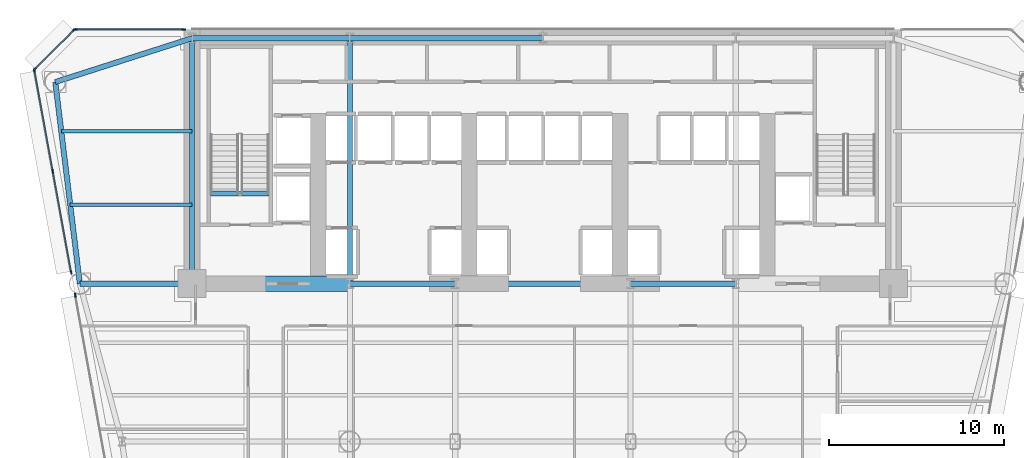
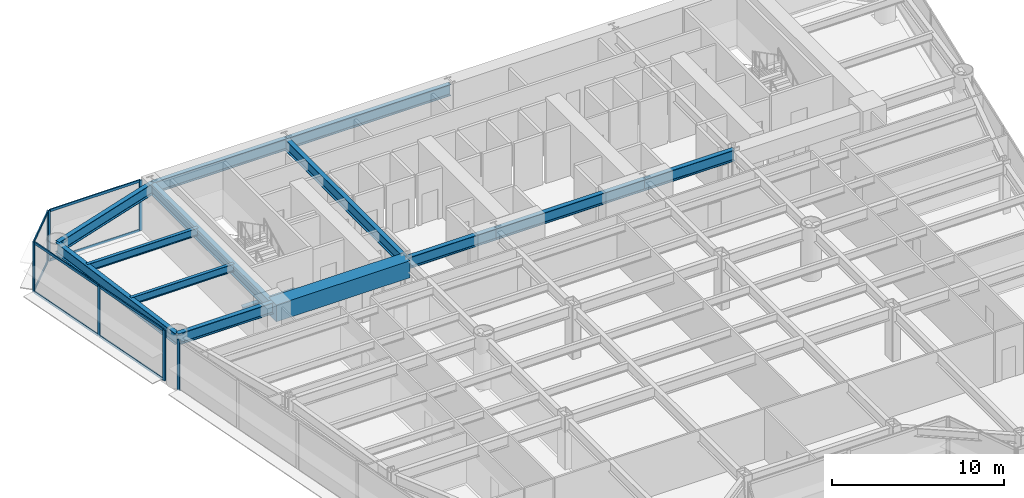
# One storey, part 5 of 14: 16 members, 14 beams, 4 elements without a shape of their own.
"""IFC4 building model written with IfcOpenShell, lengths in metres."""

from ifc_helpers import new_model, si_unit, direction, frame, origin, origin_2d, place, context, subcontext, project, spatial, rectangle, i_section, extrude, source, transform, mapped, material, layer, layer_set, material_profile, profile_set, type_object, element, aggregate, save


model = new_model("IFC4")

# Units and contexts
model_context = context("Model", 3, precision=1e-05, world=origin(), true_north=direction((0.0, 1.0)))
body_context = subcontext(model_context, "Body", "Model", "MODEL_VIEW")
ifc_project = project(units=[si_unit("LENGTHUNIT", "METRE"), si_unit("AREAUNIT", "SQUARE_METRE"), si_unit("VOLUMEUNIT", "CUBIC_METRE"), si_unit("PLANEANGLEUNIT", "RADIAN"), si_unit("MASSUNIT", "GRAM", prefix="KILO")], contexts=[model_context])

# Site, building, storey
site_placement = place(None, origin())
site = spatial("IfcSite", under=ifc_project, at=site_placement, CompositionType="ELEMENT")
building_placement = place(site_placement, origin())
building = spatial("IfcBuilding", under=site, at=building_placement, Name="Vaeldorn Concourse Tower", CompositionType="ELEMENT")
storey_placement = place(building_placement, frame((0.0, 0.0, 49.199951171875)))
storey = spatial("IfcBuildingStorey", under=building, at=storey_placement, Name="L12", CompositionType="ELEMENT", Elevation=49.199951171875)

# Beams
ifc_material_1 = material(Name="Concrete C60/75", Category="concrete")
ifc_material_profile_1 = material_profile(ifc_material_1, rectangle(XDim=0.89990234375, YDim=1.199951171875, at=origin_2d()), Name="RC 900x1200")
ifc_profile_set_1 = profile_set([ifc_material_profile_1], Name="Concrete C60/75")
beam_type_1 = type_object("IfcBeamType", Name="BM-CB-RC900", PredefinedType="BEAM", material=ifc_profile_set_1)
shared_shape_1 = source(origin(), body_context, "Body", "SweptSolid", [
    extrude(rectangle(XDim=0.89990234375, YDim=1.199951171875, at=origin_2d()), origin(), (0.0, 0.0, 1.0), 9.0),
])
beam_1_placement = place(storey_placement, frame((14.0, 36.5, 2.97998046875), z_axis=(1.0, 0.0, 0.0), x_axis=(0.0, 1.0, 0.0)))
element("IfcBeam", 1, at=beam_1_placement, inside=storey, type_object=beam_type_1, Name="Core Coupling Beam L12-1", PredefinedType="BEAM", context=body_context, shape_type="MappedRepresentation", body=[
    mapped(shared_shape_1, transform((0.0, 0.0, 0.0), scale=1.0)),
])
ifc_material_2 = material(Name="Steel S355", Category="steel")
ifc_material_profile_2 = material_profile(ifc_material_2, i_section(OverallWidth=0.300048828125, OverallDepth=0.340087890625, WebThickness=0.011962890625, FlangeThickness=0.021484375, FilletRadius=0.027099609375, at=origin_2d()), Name="HEB 340")
ifc_profile_set_2 = profile_set([ifc_material_profile_2], Name="Steel S355")
beam_type_2 = type_object("IfcBeamType", Name="BM-ST-TRIM", PredefinedType="BEAM", material=ifc_profile_set_2)
shared_shape_2 = source(origin(), body_context, "Body", "SweptSolid", [
    extrude(i_section(OverallWidth=0.300048828125, OverallDepth=0.340087890625, WebThickness=0.011962890625, FlangeThickness=0.021484375, FilletRadius=0.027099609375, at=origin_2d()), origin(), (0.0, 0.0, 1.0), 3.590087890625),
])
beam_2_placement = place(storey_placement, frame((14.929931640625, 41.639892578125, -0.389892578125), z_axis=(1.0, 0.0, 0.0), x_axis=(0.0, 1.0, 0.0)))
element("IfcBeam", 2, at=beam_2_placement, inside=storey, type_object=beam_type_2, Name="Stair Landing Trimmer Beam ST-1 L12", PredefinedType="BEAM", context=body_context, shape_type="MappedRepresentation", body=[
    mapped(shared_shape_2, transform((0.0, 0.0, 0.0), scale=1.0)),
])
ifc_material_profile_3 = material_profile(ifc_material_2, i_section(OverallWidth=0.300048828125, OverallDepth=0.800048828125, WebThickness=0.017578125, FlangeThickness=0.032958984375, FilletRadius=0.030029296875, at=origin_2d()), Name="HEB 800")
ifc_profile_set_3 = profile_set([ifc_material_profile_3], Name="Steel S355")
beam_type_3 = type_object("IfcBeamType", Name="BM-PG-HEB800", PredefinedType="BEAM", material=ifc_profile_set_3)
shared_shape_3 = source(origin(), body_context, "Body", "SweptSolid", [
    extrude(i_section(OverallWidth=0.300048828125, OverallDepth=0.800048828125, WebThickness=0.017578125, FlangeThickness=0.032958984375, FilletRadius=0.030029296875, at=origin_2d()), origin(), (0.0, 0.0, 1.0), 6.0),
])
for number, where, z_axis, x_axis, name in (
    (3, (23.0, 36.5, 3.179931640625), (1.0, 0.0, 0.0), (0.0, 1.0, 0.0), "Beam BM-L12-C-FC2-C-FC3"),
    (4, (39.0, 36.5, 3.179931640625), (1.0, 0.0, 0.0), (0.0, 1.0, 0.0), "Beam BM-L12-C-FC4-C-FC5"),
):
    element("IfcBeam", number, at=place(storey_placement, frame(where, z_axis=z_axis, x_axis=x_axis)), inside=storey, type_object=beam_type_3, Name=name, PredefinedType="BEAM", context=body_context, shape_type="MappedRepresentation", body=[
        mapped(shared_shape_3, transform((0.0, 0.0, 0.0), scale=1.0)),
    ])
shared_shape_4 = source(origin(), body_context, "Body", "SweptSolid", [
    extrude(i_section(OverallWidth=0.300048828125, OverallDepth=0.800048828125, WebThickness=0.017578125, FlangeThickness=0.032958984375, FilletRadius=0.030029296875, at=origin_2d()), origin(), (0.0, 0.0, 1.0), 10.0),
])
beam_3_placement = place(storey_placement, frame((29.0, 36.5, 3.179931640625), z_axis=(1.0, 0.0, 0.0), x_axis=(0.0, 1.0, 0.0)))
element("IfcBeam", 5, at=beam_3_placement, inside=storey, type_object=beam_type_3, Name="Beam BM-L12-C-FC3-C-FC4", PredefinedType="BEAM", context=body_context, shape_type="MappedRepresentation", body=[
    mapped(shared_shape_4, transform((0.0, 0.0, 0.0), scale=1.0)),
])
shared_shape_5 = source(origin(), body_context, "Body", "SweptSolid", [
    extrude(i_section(OverallWidth=0.300048828125, OverallDepth=0.800048828125, WebThickness=0.017578125, FlangeThickness=0.032958984375, FilletRadius=0.030029296875, at=origin_2d()), origin(), (0.0, 0.0, 1.0), 9.0),
])
beam_4_placement = place(storey_placement, frame((14.0, 50.5, 3.179931640625), z_axis=(1.0, 0.0, 0.0), x_axis=(0.0, 1.0, 0.0)))
element("IfcBeam", 6, at=beam_4_placement, inside=storey, type_object=beam_type_3, Name="Beam BM-L12-C-HC1-C-HC2", PredefinedType="BEAM", context=body_context, shape_type="MappedRepresentation", body=[
    mapped(shared_shape_5, transform((0.0, 0.0, 0.0), scale=1.0)),
])
shared_shape_6 = source(origin(), body_context, "Body", "SweptSolid", [
    extrude(i_section(OverallWidth=0.300048828125, OverallDepth=0.800048828125, WebThickness=0.017578125, FlangeThickness=0.032958984375, FilletRadius=0.030029296875, at=origin_2d()), origin(), (0.0, 0.0, 1.0), 11.0),
])
beam_5_placement = place(storey_placement, frame((23.0, 50.5, 3.179931640625), z_axis=(1.0, 0.0, 0.0), x_axis=(0.0, 1.0, 0.0)))
element("IfcBeam", 7, at=beam_5_placement, inside=storey, type_object=beam_type_3, Name="Beam BM-L12-C-HC2-C-HC3", PredefinedType="BEAM", context=body_context, shape_type="MappedRepresentation", body=[
    mapped(shared_shape_6, transform((0.0, 0.0, 0.0), scale=1.0)),
])
shared_shape_7 = source(origin(), body_context, "Body", "SweptSolid", [
    extrude(i_section(OverallWidth=0.300048828125, OverallDepth=0.800048828125, WebThickness=0.017578125, FlangeThickness=0.032958984375, FilletRadius=0.030029296875, at=origin_2d()), origin(), (0.0, 0.0, 1.0), 14.0),
])
for number, where, z_axis, x_axis, name in (
    (8, (14.0, 36.5, 3.179931640625), (0.0, 1.0, 0.0), (-1.0, 0.0, 0.0), "Beam BM-L12-C-FC1-C-HC1"),
    (9, (23.0, 36.5, 3.179931640625), (0.0, 1.0, 0.0), (-1.0, 0.0, 0.0), "Beam BM-L12-C-FC2-C-HC2"),
):
    element("IfcBeam", number, at=place(storey_placement, frame(where, z_axis=z_axis, x_axis=x_axis)), inside=storey, type_object=beam_type_3, Name=name, PredefinedType="BEAM", context=body_context, shape_type="MappedRepresentation", body=[
        mapped(shared_shape_7, transform((0.0, 0.0, 0.0), scale=1.0)),
    ])
shared_shape_8 = source(origin(), body_context, "Body", "SweptSolid", [
    extrude(i_section(OverallWidth=0.300048828125, OverallDepth=0.800048828125, WebThickness=0.017578125, FlangeThickness=0.032958984375, FilletRadius=0.030029296875, at=origin_2d()), origin(), (0.0, 0.0, 1.0), 8.19091796875),
])
beam_6_placement = place(storey_placement, frame((6.199951171875, 48.0, 3.179931640625), z_axis=(0.952282843383, 0.305216949396, 0.0), x_axis=(-0.305216949396, 0.952282843383, 0.0)))
element("IfcBeam", 10, at=beam_6_placement, inside=storey, type_object=beam_type_3, Name="Beam BM-L12-C-NW1-C-HC1", PredefinedType="BEAM", context=body_context, shape_type="MappedRepresentation", body=[
    mapped(shared_shape_8, transform((0.0, 0.0, 0.0), scale=1.0)),
])
shared_shape_9 = source(origin(), body_context, "Body", "SweptSolid", [
    extrude(i_section(OverallWidth=0.300048828125, OverallDepth=0.800048828125, WebThickness=0.017578125, FlangeThickness=0.032958984375, FilletRadius=0.030029296875, at=origin_2d()), origin(), (0.0, 0.0, 1.0), 11.5849609375),
])
beam_7_placement = place(storey_placement, frame((6.199951171875, 48.0, 3.179931640625), z_axis=(0.120859382899, -0.992669637677, 0.0), x_axis=(0.992669637677, 0.120859382899, 0.0)))
element("IfcBeam", 11, at=beam_7_placement, inside=storey, type_object=beam_type_3, Name="Beam BM-L12-C-NW1-C-NW2", PredefinedType="BEAM", context=body_context, shape_type="MappedRepresentation", body=[
    mapped(shared_shape_9, transform((0.0, 0.0, 0.0), scale=1.0)),
])
shared_shape_10 = source(origin(), body_context, "Body", "SweptSolid", [
    extrude(i_section(OverallWidth=0.300048828125, OverallDepth=0.800048828125, WebThickness=0.017578125, FlangeThickness=0.032958984375, FilletRadius=0.030029296875, at=origin_2d()), origin(), (0.0, 0.0, 1.0), 6.39990234375),
])
beam_8_placement = place(storey_placement, frame((7.60009765625, 36.5, 3.179931640625), z_axis=(1.0, 0.0, 0.0), x_axis=(0.0, 1.0, 0.0)))
element("IfcBeam", 12, at=beam_8_placement, inside=storey, type_object=beam_type_3, Name="Beam BM-L12-C-NW2-C-FC1", PredefinedType="BEAM", context=body_context, shape_type="MappedRepresentation", body=[
    mapped(shared_shape_10, transform((0.0, 0.0, 0.0), scale=1.0)),
])
ifc_material_profile_4 = material_profile(ifc_material_2, i_section(OverallWidth=0.2099609375, OverallDepth=0.550048828125, WebThickness=0.010986328125, FlangeThickness=0.01708984375, FilletRadius=0.02392578125, at=origin_2d()), Name="IPE 550")
ifc_profile_set_4 = profile_set([ifc_material_profile_4], Name="Steel S355")
beam_type_4 = type_object("IfcBeamType", Name="BM-JS-IPE550", PredefinedType="JOIST", material=ifc_profile_set_4)
shared_shape_11 = source(origin(), body_context, "Body", "SweptSolid", [
    extrude(i_section(OverallWidth=0.2099609375, OverallDepth=0.550048828125, WebThickness=0.010986328125, FlangeThickness=0.01708984375, FilletRadius=0.02392578125, at=origin_2d()), origin(), (0.0, 0.0, 1.0), 6.94775390625),
])
beam_9_placement = place(storey_placement, frame((7.05224609375, 41.0, 3.304931640625), z_axis=(1.0, 0.0, 0.0), x_axis=(0.0, 1.0, 0.0)))
element("IfcBeam", 13, at=beam_9_placement, inside=storey, type_object=beam_type_4, Name="Beam JS-L12-NW-410", PredefinedType="JOIST", context=body_context, shape_type="MappedRepresentation", body=[
    mapped(shared_shape_11, transform((0.0, 0.0, 0.0), scale=1.0)),
])
shared_shape_12 = source(origin(), body_context, "Body", "SweptSolid", [
    extrude(i_section(OverallWidth=0.2099609375, OverallDepth=0.550048828125, WebThickness=0.010986328125, FlangeThickness=0.01708984375, FilletRadius=0.02392578125, at=origin_2d()), origin(), (0.0, 0.0, 1.0), 7.458984375),
])
beam_10_placement = place(storey_placement, frame((6.541015625, 45.199951171875, 3.304931640625), z_axis=(1.0, 0.0, 0.0), x_axis=(0.0, 1.0, 0.0)))
element("IfcBeam", 14, at=beam_10_placement, inside=storey, type_object=beam_type_4, Name="Beam JS-L12-NW-452", PredefinedType="JOIST", context=body_context, shape_type="MappedRepresentation", body=[
    mapped(shared_shape_12, transform((0.0, 0.0, 0.0), scale=1.0)),
])

# Curtain wall, members
ifc_material_3 = material(Name="Anodised Bronze Aluminium", Category="aluminium")
ifc_layer = layer(ifc_material_3, 0.219970703125)
ifc_layer_set = layer_set([ifc_layer], Name="Anodised Bronze Aluminium")
curtain_wall_type = type_object("IfcCurtainWallType", Name="CW-SYS-01", PredefinedType="NOTDEFINED", material=ifc_layer_set)
curtain_wall_1_placement = place(storey_placement, origin())
curtain_wall_1 = element("IfcCurtainWall", 15, at=curtain_wall_1_placement, inside=storey, type_object=curtain_wall_type, Name="Unitised Curtain Wall CW-L12-E10-1", PredefinedType="NOTDEFINED")
ifc_material_profile_5 = material_profile(ifc_material_3, rectangle(XDim=0.074951171875, YDim=0.179931640625, at=origin_2d()), Name="CWT 75x180")
ifc_profile_set_5 = profile_set([ifc_material_profile_5], Name="Anodised Bronze Aluminium")
member_type_1 = type_object("IfcMemberType", Name="CWT-BRONZE-180", PredefinedType="USERDEFINED", material=ifc_profile_set_5)
shared_shape_13 = source(origin(), body_context, "Body", "SweptSolid", [
    extrude(rectangle(XDim=0.074951171875, YDim=0.179931640625, at=origin_2d()), origin(), (0.0, 0.0, 1.0), 3.10302734375),
])
member_1_placement = place(storey_placement, frame((7.2470703125, 50.947021484375, 0.03759765625), z_axis=(-0.707106781187, -0.707106781187, 0.0), x_axis=(0.707106781187, -0.707106781187, 0.0)))
member_1 = element("IfcMember", 16, at=member_1_placement, type_object=member_type_1, Name="CW-01 transom 1.1", ObjectType="TRANSOM", PredefinedType="USERDEFINED", context=body_context, shape_type="MappedRepresentation", body=[
    mapped(shared_shape_13, transform((0.0, 0.0, 0.0), scale=1.0)),
])
member_2_placement = place(storey_placement, frame((7.2470703125, 50.947021484375, 3.54248046875), z_axis=(-0.707106781187, -0.707106781187, 0.0), x_axis=(0.707106781187, -0.707106781187, 0.0)))
member_2 = element("IfcMember", 17, at=member_2_placement, type_object=member_type_1, Name="CW-01 transom 1.2", ObjectType="TRANSOM", PredefinedType="USERDEFINED", context=body_context, shape_type="MappedRepresentation", body=[
    mapped(shared_shape_13, transform((0.0, 0.0, 0.0), scale=1.0)),
])

curtain_wall_2_placement = place(storey_placement, origin())
curtain_wall_2 = element("IfcCurtainWall", 18, at=curtain_wall_2_placement, inside=storey, type_object=curtain_wall_type, Name="Unitised Curtain Wall CW-L12-E09-2", PredefinedType="NOTDEFINED")
shared_shape_14 = source(origin(), body_context, "Body", "SweptSolid", [
    extrude(rectangle(XDim=0.074951171875, YDim=0.179931640625, at=origin_2d()), origin(), (0.0, 0.0, 1.0), 6.10498046875),
])
member_3_placement = place(storey_placement, frame((13.47998046875, 51.0, 0.03759765625), z_axis=(-1.0, 0.0, 0.0), x_axis=(0.0, -1.0, 0.0)))
member_3 = element("IfcMember", 19, at=member_3_placement, type_object=member_type_1, Name="CW-01 transom 1.1", ObjectType="TRANSOM", PredefinedType="USERDEFINED", context=body_context, shape_type="MappedRepresentation", body=[
    mapped(shared_shape_14, transform((0.0, 0.0, 0.0), scale=1.0)),
])
member_4_placement = place(storey_placement, frame((13.47998046875, 51.0, 3.54248046875), z_axis=(-1.0, 0.0, 0.0), x_axis=(0.0, -1.0, 0.0)))
member_4 = element("IfcMember", 20, at=member_4_placement, type_object=member_type_1, Name="CW-01 transom 1.2", ObjectType="TRANSOM", PredefinedType="USERDEFINED", context=body_context, shape_type="MappedRepresentation", body=[
    mapped(shared_shape_14, transform((0.0, 0.0, 0.0), scale=1.0)),
])
ifc_material_profile_6 = material_profile(ifc_material_3, rectangle(XDim=0.074951171875, YDim=0.219970703125, at=origin_2d()), Name="CWM 75x220")
ifc_profile_set_6 = profile_set([ifc_material_profile_6], Name="Anodised Bronze Aluminium")
member_type_2 = type_object("IfcMemberType", Name="CWM-BRONZE-220", PredefinedType="MULLION", material=ifc_profile_set_6)
shared_shape_15 = source(origin(), body_context, "Body", "SweptSolid", [
    extrude(rectangle(XDim=0.074951171875, YDim=0.219970703125, at=origin_2d()), origin(), (0.0, 0.0, 1.0), 3.580078125),
])
member_5_placement = place(storey_placement, frame((13.517578125, 51.0, 0.0), z_axis=(0.0, 0.0, 1.0), x_axis=(0.0, -1.0, 0.0)))
member_5 = element("IfcMember", 21, at=member_5_placement, type_object=member_type_2, Name="CW-01 mullion 1", PredefinedType="MULLION", context=body_context, shape_type="MappedRepresentation", body=[
    mapped(shared_shape_15, transform((0.0, 0.0, 0.0), scale=1.0)),
])
member_6_placement = place(storey_placement, frame((7.33740234375, 51.0, 0.0), z_axis=(0.0, 0.0, 1.0), x_axis=(0.0, -1.0, 0.0)))
member_6 = element("IfcMember", 22, at=member_6_placement, type_object=member_type_2, Name="CW-01 mullion 2", PredefinedType="MULLION", context=body_context, shape_type="MappedRepresentation", body=[
    mapped(shared_shape_15, transform((0.0, 0.0, 0.0), scale=1.0)),
])
aggregate(curtain_wall_2, [member_5, member_6, member_3, member_4])

# Member
member_7_placement = place(storey_placement, frame((7.2734375, 50.973388671875, 0.0), z_axis=(0.0, 0.0, 1.0), x_axis=(0.707106781187, -0.707106781187, 0.0)))
member_7 = element("IfcMember", 23, at=member_7_placement, type_object=member_type_2, Name="CW-01 mullion 1", PredefinedType="MULLION", context=body_context, shape_type="MappedRepresentation", body=[
    mapped(shared_shape_15, transform((0.0, 0.0, 0.0), scale=1.0)),
])

member_8_placement = place(storey_placement, frame((5.026611328125, 48.7265625, 0.0), z_axis=(0.0, 0.0, 1.0), x_axis=(0.707106781187, -0.707106781187, 0.0)))
member_8 = element("IfcMember", 24, at=member_8_placement, type_object=member_type_2, Name="CW-01 mullion 2", PredefinedType="MULLION", context=body_context, shape_type="MappedRepresentation", body=[
    mapped(shared_shape_15, transform((0.0, 0.0, 0.0), scale=1.0)),
])

aggregate(curtain_wall_1, [member_7, member_8, member_1, member_2])

# Curtain wall, members
curtain_wall_3_placement = place(storey_placement, origin())
curtain_wall_3 = element("IfcCurtainWall", 25, at=curtain_wall_3_placement, inside=storey, type_object=curtain_wall_type, Name="Unitised Curtain Wall CW-L12-E11-1", PredefinedType="NOTDEFINED")
member_9_placement = place(storey_placement, frame((5.0068359375, 48.6630859375, 0.0), z_axis=(0.0, 0.0, 1.0), x_axis=(0.98382720045, 0.179120182152, 0.0)))
member_9 = element("IfcMember", 26, at=member_9_placement, type_object=member_type_2, Name="CW-01 mullion 1", PredefinedType="MULLION", context=body_context, shape_type="MappedRepresentation", body=[
    mapped(shared_shape_15, transform((0.0, 0.0, 0.0), scale=1.0)),
])
member_10_placement = place(storey_placement, frame((6.05419921875, 42.90966796875, 0.0), z_axis=(0.0, 0.0, 1.0), x_axis=(0.98382720045, 0.179120182152, 0.0)))
member_10 = element("IfcMember", 27, at=member_10_placement, type_object=member_type_2, Name="CW-01 mullion 2", PredefinedType="MULLION", context=body_context, shape_type="MappedRepresentation", body=[
    mapped(shared_shape_15, transform((0.0, 0.0, 0.0), scale=1.0)),
])
member_11_placement = place(storey_placement, frame((7.1015625, 37.156494140625, 0.0), z_axis=(0.0, 0.0, 1.0), x_axis=(0.98382720045, 0.179120182152, 0.0)))
member_11 = element("IfcMember", 28, at=member_11_placement, type_object=member_type_2, Name="CW-01 mullion 3", PredefinedType="MULLION", context=body_context, shape_type="MappedRepresentation", body=[
    mapped(shared_shape_15, transform((0.0, 0.0, 0.0), scale=1.0)),
])

# Curtain wall, member
curtain_wall_4_placement = place(storey_placement, origin())
curtain_wall_4 = element("IfcCurtainWall", 29, at=curtain_wall_4_placement, inside=storey, type_object=curtain_wall_type, Name="Unitised Curtain Wall CW-L12-E11-2", PredefinedType="NOTDEFINED")
member_12_placement = place(storey_placement, frame((7.340576171875, 35.843505859375, 0.0), z_axis=(0.0, 0.0, 1.0), x_axis=(0.983827780803, 0.179116994505, 0.0)))
member_12 = element("IfcMember", 30, at=member_12_placement, type_object=member_type_2, Name="CW-01 mullion 1", PredefinedType="MULLION", context=body_context, shape_type="MappedRepresentation", body=[
    mapped(shared_shape_15, transform((0.0, 0.0, 0.0), scale=1.0)),
])
aggregate(curtain_wall_4, [member_12])

# Member
shared_shape_16 = source(origin(), body_context, "Body", "SweptSolid", [
    extrude(rectangle(XDim=0.074951171875, YDim=0.179931640625, at=origin_2d()), origin(), (0.0, 0.0, 1.0), 5.772705078125),
])
member_13_placement = place(storey_placement, frame((6.06103515625, 42.872802734375, 0.03759765625), z_axis=(0.179105011837, -0.983829962308, 0.0), x_axis=(0.983829962308, 0.179105011837, 0.0)))
member_13 = element("IfcMember", 31, at=member_13_placement, type_object=member_type_1, Name="CW-01 transom 2.1", ObjectType="TRANSOM", PredefinedType="USERDEFINED", context=body_context, shape_type="MappedRepresentation", body=[
    mapped(shared_shape_16, transform((0.0, 0.0, 0.0), scale=1.0)),
])

member_14_placement = place(storey_placement, frame((6.06103515625, 42.872802734375, 3.54248046875), z_axis=(0.179105011837, -0.983829962308, 0.0), x_axis=(0.983829962308, 0.179105011837, 0.0)))
member_14 = element("IfcMember", 32, at=member_14_placement, type_object=member_type_1, Name="CW-01 transom 2.2", ObjectType="TRANSOM", PredefinedType="USERDEFINED", context=body_context, shape_type="MappedRepresentation", body=[
    mapped(shared_shape_16, transform((0.0, 0.0, 0.0), scale=1.0)),
])

shared_shape_17 = source(origin(), body_context, "Body", "SweptSolid", [
    extrude(rectangle(XDim=0.074951171875, YDim=0.179931640625, at=origin_2d()), origin(), (0.0, 0.0, 1.0), 5.77294921875),
])
member_15_placement = place(storey_placement, frame((5.013427734375, 48.626220703125, 0.03759765625), z_axis=(0.179097559983, -0.983831318879, 0.0), x_axis=(0.983831318879, 0.179097559983, 0.0)))
member_15 = element("IfcMember", 33, at=member_15_placement, type_object=member_type_1, Name="CW-01 transom 1.1", ObjectType="TRANSOM", PredefinedType="USERDEFINED", context=body_context, shape_type="MappedRepresentation", body=[
    mapped(shared_shape_17, transform((0.0, 0.0, 0.0), scale=1.0)),
])

member_16_placement = place(storey_placement, frame((5.013427734375, 48.626220703125, 3.54248046875), z_axis=(0.179097559983, -0.983831318879, 0.0), x_axis=(0.983831318879, 0.179097559983, 0.0)))
member_16 = element("IfcMember", 34, at=member_16_placement, type_object=member_type_1, Name="CW-01 transom 1.2", ObjectType="TRANSOM", PredefinedType="USERDEFINED", context=body_context, shape_type="MappedRepresentation", body=[
    mapped(shared_shape_17, transform((0.0, 0.0, 0.0), scale=1.0)),
])

aggregate(curtain_wall_3, [member_9, member_10, member_11, member_15, member_16, member_13, member_14])

save(model, "model.ifc")
